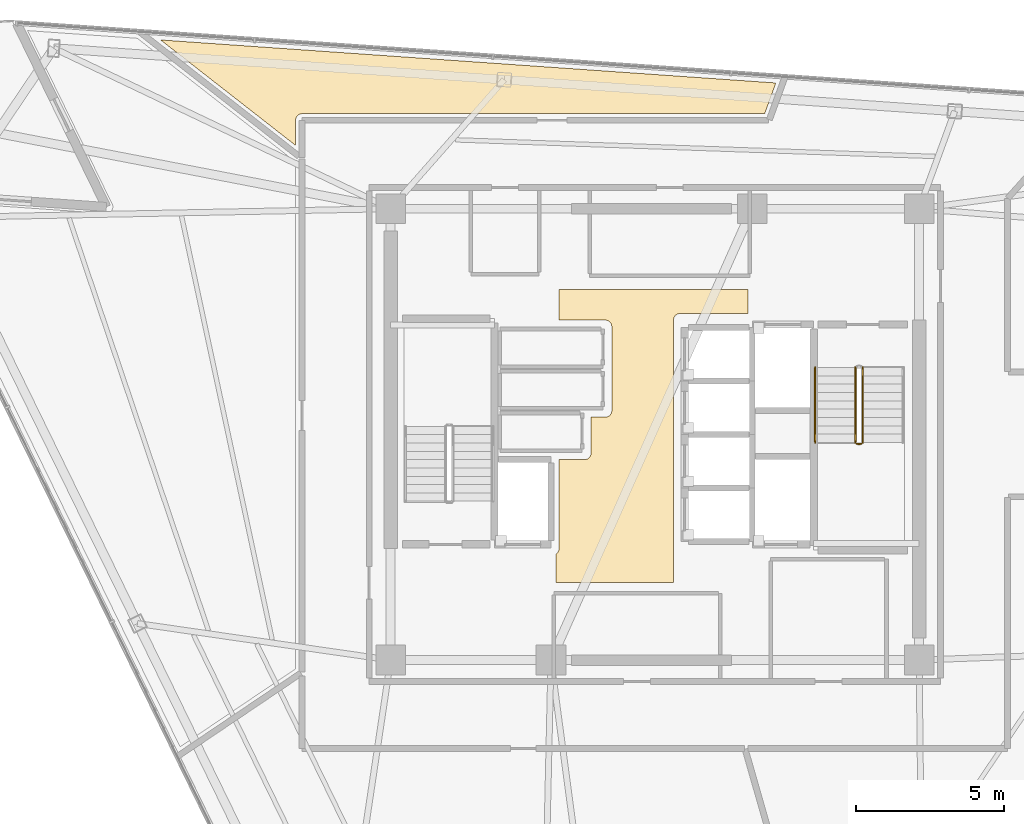
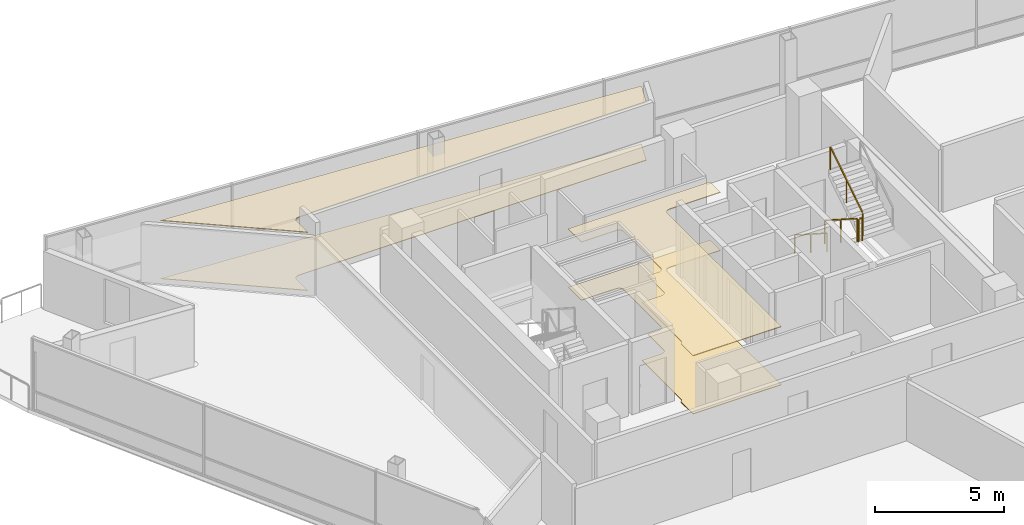
# One storey, part 13 of 14: 4 coverings, 4 railings.
"""IFC4 building model written with IfcOpenShell, lengths in metres."""

from ifc_helpers import new_model, si_unit, direction, frame, origin, origin_2d, place, context, subcontext, project, spatial, polyline, rectangle, outline, extrude, material, layer, layer_set, type_object, element, save


model = new_model("IFC4")

# Units and contexts
model_context = context("Model", 3, precision=1e-05, world=origin(), true_north=direction((0.0, 1.0)))
body_context = subcontext(model_context, "Body", "Model", "MODEL_VIEW")
ifc_project = project(units=[si_unit("LENGTHUNIT", "METRE"), si_unit("AREAUNIT", "SQUARE_METRE"), si_unit("VOLUMEUNIT", "CUBIC_METRE"), si_unit("PLANEANGLEUNIT", "RADIAN"), si_unit("MASSUNIT", "GRAM", prefix="KILO")], contexts=[model_context])

# Site, building, storey
site_placement = place(None, origin())
site = spatial("IfcSite", under=ifc_project, at=site_placement, CompositionType="ELEMENT")
building_placement = place(site_placement, origin())
building = spatial("IfcBuilding", under=site, at=building_placement, Name="Tharavind Bronze Gate", CompositionType="ELEMENT")
storey_placement = place(building_placement, frame((0.0, 0.0, 230.64990234375)))
storey = spatial("IfcBuildingStorey", under=building, at=storey_placement, Name="L59", CompositionType="ELEMENT", Elevation=230.64990234375)

# Coverings
ifc_material_1 = material(Name="Perforated Bronze Acoustic Panel", Category="bronze")
ifc_layer_1 = layer(ifc_material_1, 0.044921875)
ifc_layer_set_1 = layer_set([ifc_layer_1], Name="Perforated Bronze Acoustic Panel")
covering_type_1 = type_object("IfcCoveringType", Name="ACOUSTIC BRONZE BAFFLE CEILING", PredefinedType="CEILING", material=ifc_layer_set_1)
covering_1_placement = place(storey_placement, frame((0.0, 0.0, 2.75)))
element("IfcCovering", 1, at=covering_1_placement, inside=storey, type_object=covering_type_1, Name="L59-C-LL suspended ceiling", PredefinedType="CEILING", context=body_context, shape_type="SweptSolid", body=[
    extrude(outline(polyline([(-3.330078125, -4.97998046875), (0.6298828125, -4.97998046875), (0.6298828125, 3.85009765625), (0.631103515625, 3.87158203125), (0.63427734375, 3.892822265625), (0.639404296875, 3.913818359375), (0.646728515625, 3.93408203125), (0.656005859375, 3.95361328125), (0.6669921875, 3.97216796875), (0.679931640625, 3.989501953125), (0.6943359375, 4.005615234375), (0.71044921875, 4.02001953125), (0.727783203125, 4.032958984375), (0.746337890625, 4.0439453125), (0.765869140625, 4.05322265625), (0.7861328125, 4.060546875), (0.80712890625, 4.06591796875), (0.828369140625, 4.06884765625), (0.85009765625, 4.070068359375), (3.1298828125, 4.070068359375), (3.1298828125, 4.8798828125), (-3.22998046875, 4.8798828125), (-3.22998046875, 3.85009765625), (-1.669921875, 3.85009765625), (-1.6484375, 3.848876953125), (-1.627197265625, 3.845703125), (-1.606201171875, 3.840576171875), (-1.585693359375, 3.833251953125), (-1.56640625, 3.823974609375), (-1.5478515625, 3.81298828125), (-1.530517578125, 3.800048828125), (-1.514404296875, 3.78564453125), (-1.5, 3.76953125), (-1.487060546875, 3.752197265625), (-1.47607421875, 3.733642578125), (-1.466796875, 3.714111328125), (-1.45947265625, 3.69384765625), (-1.4541015625, 3.6728515625), (-1.451171875, 3.651611328125), (-1.449951171875, 3.6298828125), (-1.449951171875, 0.800048828125), (-1.451171875, 0.7783203125), (-1.4541015625, 0.757080078125), (-1.45947265625, 0.736083984375), (-1.466796875, 0.7158203125), (-1.47607421875, 0.6962890625), (-1.487060546875, 0.677734375), (-1.5, 0.660400390625), (-1.514404296875, 0.644287109375), (-1.530517578125, 0.6298828125), (-1.5478515625, 0.6171875), (-1.56640625, 0.60595703125), (-1.585693359375, 0.5966796875), (-1.606201171875, 0.589599609375), (-1.627197265625, 0.584228515625), (-1.6484375, 0.5810546875), (-1.669921875, 0.580078125), (-2.14990234375, 0.580078125), (-2.14990234375, -0.6298828125), (-2.151123046875, -0.651611328125), (-2.154296875, -0.6728515625), (-2.159423828125, -0.69384765625), (-2.166748046875, -0.714111328125), (-2.176025390625, -0.733642578125), (-2.18701171875, -0.752197265625), (-2.199951171875, -0.76953125), (-2.21435546875, -0.78564453125), (-2.23046875, -0.800048828125), (-2.247802734375, -0.81298828125), (-2.266357421875, -0.823974609375), (-2.285888671875, -0.833251953125), (-2.30615234375, -0.840576171875), (-2.3271484375, -0.845703125), (-2.348388671875, -0.848876953125), (-2.3701171875, -0.85009765625), (-3.22998046875, -0.85009765625), (-3.22998046875, -3.85009765625), (-3.231201171875, -3.87158203125), (-3.234130859375, -3.892822265625), (-3.239501953125, -3.913818359375), (-3.24658203125, -3.93408203125), (-3.256103515625, -3.95361328125), (-3.26708984375, -3.97216796875), (-3.27978515625, -3.989501953125), (-3.29443359375, -4.005615234375), (-3.310302734375, -4.02001953125), (-3.327880859375, -4.032958984375), (-3.330078125, -4.0341796875), (-3.330078125, -4.97998046875)])), origin(), (0.0, 0.0, 1.0), 0.03515625),
])
ifc_material_2 = material(Name="Engineered Oak & Carpet Tile", Category="wood")
ifc_layer_2 = layer(ifc_material_2, 0.02490234375)
ifc_layer_set_2 = layer_set([ifc_layer_2], Name="Engineered Oak & Carpet Tile")
covering_type_2 = type_object("IfcCoveringType", Name="ENGINEERED TIMBER FLOORING", PredefinedType="FLOORING", material=ifc_layer_set_2)
covering_2_placement = place(storey_placement, origin())
element("IfcCovering", 2, at=covering_2_placement, inside=storey, type_object=covering_type_2, Name="L59-RM-01 floor finish", PredefinedType="FLOORING", context=body_context, shape_type="SweptSolid", body=[
    extrude(outline(polyline([(-12.10009765625, 9.732666015625), (-12.10009765625, 10.579345703125), (-12.099609375, 10.590087890625), (-12.099609375, 10.5908203125), (-12.09765625, 10.6123046875), (-12.093505859375, 10.63330078125), (-12.087158203125, 10.654052734375), (-12.078857421875, 10.674072265625), (-12.068603515625, 10.693115234375), (-12.056640625, 10.7109375), (-12.04296875, 10.727783203125), (-12.027587890625, 10.742919921875), (-12.010986328125, 10.756591796875), (-11.9931640625, 10.768798828125), (-11.97412109375, 10.77880859375), (-11.9541015625, 10.787109375), (-11.933349609375, 10.79345703125), (-11.912353515625, 10.797607421875), (-11.890869140625, 10.7998046875), (-11.89013671875, 10.7998046875), (-11.87939453125, 10.800048828125), (3.69677734375, 10.800048828125), (4.073974609375, 11.836181640625), (-16.647216796875, 13.285400390625), (-12.10009765625, 9.732666015625)])), origin(), (0.0, 0.0, 1.0), 0.025146484375),
])
ifc_material_3 = material(Name="Acoustic Gypsum Board", Category="gypsum")
ifc_layer_3 = layer(ifc_material_3, 0.030029296875)
ifc_layer_set_3 = layer_set([ifc_layer_3], Name="Acoustic Gypsum Board")
covering_type_3 = type_object("IfcCoveringType", Name="GYPSUM SUSPENDED CEILING", PredefinedType="CEILING", material=ifc_layer_set_3)
covering_3_placement = place(storey_placement, frame((0.0, 0.0, 2.75)))
element("IfcCovering", 3, at=covering_3_placement, inside=storey, type_object=covering_type_3, Name="L59-RM-01 suspended ceiling", PredefinedType="CEILING", context=body_context, shape_type="SweptSolid", body=[
    extrude(outline(polyline([(-12.10009765625, 9.732666015625), (-12.10009765625, 10.579345703125), (-12.099609375, 10.590087890625), (-12.099609375, 10.5908203125), (-12.09765625, 10.6123046875), (-12.093505859375, 10.63330078125), (-12.087158203125, 10.654052734375), (-12.078857421875, 10.674072265625), (-12.068603515625, 10.693115234375), (-12.056640625, 10.7109375), (-12.04296875, 10.727783203125), (-12.027587890625, 10.742919921875), (-12.010986328125, 10.756591796875), (-11.9931640625, 10.768798828125), (-11.97412109375, 10.77880859375), (-11.9541015625, 10.787109375), (-11.933349609375, 10.79345703125), (-11.912353515625, 10.797607421875), (-11.890869140625, 10.7998046875), (-11.89013671875, 10.7998046875), (-11.87939453125, 10.800048828125), (3.69677734375, 10.800048828125), (4.073974609375, 11.836181640625), (-16.647216796875, 13.285400390625), (-12.10009765625, 9.732666015625)])), origin(), (0.0, 0.0, 1.0), 0.03515625),
])
ifc_material_4 = material(Name="Honed Travertine Limestone", Category="masonry")
ifc_layer_4 = layer(ifc_material_4, 0.030029296875)
ifc_layer_set_4 = layer_set([ifc_layer_4], Name="Honed Travertine Limestone")
covering_type_4 = type_object("IfcCoveringType", Name="HONED LIMESTONE FLOORING", PredefinedType="FLOORING", material=ifc_layer_set_4)
covering_4_placement = place(storey_placement, origin())
element("IfcCovering", 4, at=covering_4_placement, inside=storey, type_object=covering_type_4, Name="L59-C-LL floor finish", PredefinedType="FLOORING", context=body_context, shape_type="SweptSolid", body=[
    extrude(outline(polyline([(-3.330078125, -4.97998046875), (0.6298828125, -4.97998046875), (0.6298828125, 3.85009765625), (0.631103515625, 3.87158203125), (0.63427734375, 3.892822265625), (0.639404296875, 3.913818359375), (0.646728515625, 3.93408203125), (0.656005859375, 3.95361328125), (0.6669921875, 3.97216796875), (0.679931640625, 3.989501953125), (0.6943359375, 4.005615234375), (0.71044921875, 4.02001953125), (0.727783203125, 4.032958984375), (0.746337890625, 4.0439453125), (0.765869140625, 4.05322265625), (0.7861328125, 4.060546875), (0.80712890625, 4.06591796875), (0.828369140625, 4.06884765625), (0.85009765625, 4.070068359375), (3.1298828125, 4.070068359375), (3.1298828125, 4.8798828125), (-3.22998046875, 4.8798828125), (-3.22998046875, 3.85009765625), (-1.669921875, 3.85009765625), (-1.6484375, 3.848876953125), (-1.627197265625, 3.845703125), (-1.606201171875, 3.840576171875), (-1.585693359375, 3.833251953125), (-1.56640625, 3.823974609375), (-1.5478515625, 3.81298828125), (-1.530517578125, 3.800048828125), (-1.514404296875, 3.78564453125), (-1.5, 3.76953125), (-1.487060546875, 3.752197265625), (-1.47607421875, 3.733642578125), (-1.466796875, 3.714111328125), (-1.45947265625, 3.69384765625), (-1.4541015625, 3.6728515625), (-1.451171875, 3.651611328125), (-1.449951171875, 3.6298828125), (-1.449951171875, 0.800048828125), (-1.451171875, 0.7783203125), (-1.4541015625, 0.757080078125), (-1.45947265625, 0.736083984375), (-1.466796875, 0.7158203125), (-1.47607421875, 0.6962890625), (-1.487060546875, 0.677734375), (-1.5, 0.660400390625), (-1.514404296875, 0.644287109375), (-1.530517578125, 0.6298828125), (-1.5478515625, 0.6171875), (-1.56640625, 0.60595703125), (-1.585693359375, 0.5966796875), (-1.606201171875, 0.589599609375), (-1.627197265625, 0.584228515625), (-1.6484375, 0.5810546875), (-1.669921875, 0.580078125), (-2.14990234375, 0.580078125), (-2.14990234375, -0.6298828125), (-2.151123046875, -0.651611328125), (-2.154296875, -0.6728515625), (-2.159423828125, -0.69384765625), (-2.166748046875, -0.714111328125), (-2.176025390625, -0.733642578125), (-2.18701171875, -0.752197265625), (-2.199951171875, -0.76953125), (-2.21435546875, -0.78564453125), (-2.23046875, -0.800048828125), (-2.247802734375, -0.81298828125), (-2.266357421875, -0.823974609375), (-2.285888671875, -0.833251953125), (-2.30615234375, -0.840576171875), (-2.3271484375, -0.845703125), (-2.348388671875, -0.848876953125), (-2.3701171875, -0.85009765625), (-3.22998046875, -0.85009765625), (-3.22998046875, -3.85009765625), (-3.231201171875, -3.87158203125), (-3.234130859375, -3.892822265625), (-3.239501953125, -3.913818359375), (-3.24658203125, -3.93408203125), (-3.256103515625, -3.95361328125), (-3.26708984375, -3.97216796875), (-3.27978515625, -3.989501953125), (-3.29443359375, -4.005615234375), (-3.310302734375, -4.02001953125), (-3.327880859375, -4.032958984375), (-3.330078125, -4.0341796875), (-3.330078125, -4.97998046875)])), origin(), (0.0, 0.0, 1.0), 0.025146484375),
])

# Railings
ifc_material_5 = material(Name="Brushed Bronze Alloy", Category="metal")
railing_type_1 = type_object("IfcRailingType", Name="STAIR BRONZE HANDRAIL 900", PredefinedType="HANDRAIL", material=ifc_material_5)
railing_1_placement = place(storey_placement, frame((5.39990234375, 2.25, 0.18017578125)))
element("IfcRailing", 5, at=railing_1_placement, inside=storey, type_object=railing_type_1, Name="L59 ST2 stair handrail 1", PredefinedType="HANDRAIL", context=body_context, shape_type="SweptSolid", body=[
    extrude(rectangle(XDim=0.048095703125, YDim=0.048095703125, at=origin_2d()), frame((0.0, -0.02685546875, 0.89306640625), z_axis=(0.0, -0.841199657755, 0.540724639528), x_axis=(1.0, 0.0, 0.0)), (0.0, 0.0, 1.0), 2.931640625),
    extrude(rectangle(XDim=0.0400390625, YDim=0.0400390625, at=origin_2d()), origin(), (0.0, 0.0, 1.0), 0.847900390625),
    extrude(rectangle(XDim=0.0400390625, YDim=0.0400390625, at=origin_2d()), frame((0.0, -1.260009765625, 0.81005859375)), (0.0, 0.0, 1.0), 0.847900390625),
    extrude(rectangle(XDim=0.0400390625, YDim=0.0400390625, at=origin_2d()), frame((0.0, -2.52001953125, 1.619873046875)), (0.0, 0.0, 1.0), 0.847900390625),
])
railing_type_2 = type_object("IfcRailingType", Name="STAIR WELL GUARD RAILING 1120", PredefinedType="GUARDRAIL", material=ifc_material_5)
railing_2_placement = place(storey_placement, frame((6.75, 2.25, 0.18017578125)))
element("IfcRailing", 6, at=railing_2_placement, inside=storey, type_object=railing_type_2, Name="L59 ST2 stair guard 1", PredefinedType="GUARDRAIL", context=body_context, shape_type="SweptSolid", body=[
    extrude(rectangle(XDim=0.048095703125, YDim=0.048095703125, at=origin_2d()), frame((0.0, -0.02685546875, 1.11328125), z_axis=(0.0, -0.841199657755, 0.540724639528), x_axis=(1.0, 0.0, 0.0)), (0.0, 0.0, 1.0), 2.931640625),
    extrude(rectangle(XDim=0.0400390625, YDim=0.0400390625, at=origin_2d()), origin(), (0.0, 0.0, 1.0), 1.068115234375),
    extrude(rectangle(XDim=0.0400390625, YDim=0.0400390625, at=origin_2d()), frame((0.0, -1.260009765625, 0.81005859375)), (0.0, 0.0, 1.0), 1.068115234375),
    extrude(rectangle(XDim=0.0400390625, YDim=0.0400390625, at=origin_2d()), frame((0.0, -2.52001953125, 1.619873046875)), (0.0, 0.0, 1.0), 1.068115234375),
])
railing_3_placement = place(storey_placement, frame((6.800048828125, -0.320068359375, 1.800048828125)))
element("IfcRailing", 7, at=railing_3_placement, inside=storey, type_object=railing_type_2, Name="L59 ST2 stair guard 2", PredefinedType="GUARDRAIL", context=body_context, shape_type="SweptSolid", body=[
    extrude(rectangle(XDim=0.048095703125, YDim=0.048095703125, at=origin_2d()), frame((0.031982421875, 0.0, 1.09619140625), z_axis=(1.0, 0.0, 0.0), x_axis=(0.0, 1.0, 0.0)), (0.0, 0.0, 1.0), 0.0859375),
    extrude(rectangle(XDim=0.0400390625, YDim=0.0400390625, at=origin_2d()), origin(), (0.0, 0.0, 1.0), 1.068115234375),
    extrude(rectangle(XDim=0.0400390625, YDim=0.0400390625, at=origin_2d()), frame((0.14990234375, 0.0, 0.0)), (0.0, 0.0, 1.0), 1.068115234375),
])
railing_4_placement = place(storey_placement, frame((7.0, -0.27001953125, 1.97998046875)))
element("IfcRailing", 8, at=railing_4_placement, inside=storey, type_object=railing_type_2, Name="L59 ST2 stair guard 3", PredefinedType="GUARDRAIL", context=body_context, shape_type="SweptSolid", body=[
    extrude(rectangle(XDim=0.048095703125, YDim=0.048095703125, at=origin_2d()), frame((0.0, 0.02685546875, 1.11328125), z_axis=(0.0, 0.841162588446, 0.540782303519), x_axis=(-1.0, 0.0, 0.0)), (0.0, 0.0, 1.0), 2.931884765625),
    extrude(rectangle(XDim=0.0400390625, YDim=0.0400390625, at=origin_2d()), origin(), (0.0, 0.0, 1.0), 1.068115234375),
    extrude(rectangle(XDim=0.0400390625, YDim=0.0400390625, at=origin_2d()), frame((0.0, 1.260009765625, 0.81005859375)), (0.0, 0.0, 1.0), 1.068115234375),
    extrude(rectangle(XDim=0.0400390625, YDim=0.0400390625, at=origin_2d()), frame((0.0, 2.52001953125, 1.6201171875)), (0.0, 0.0, 1.0), 1.068115234375),
])

save(model, "model.ifc")
